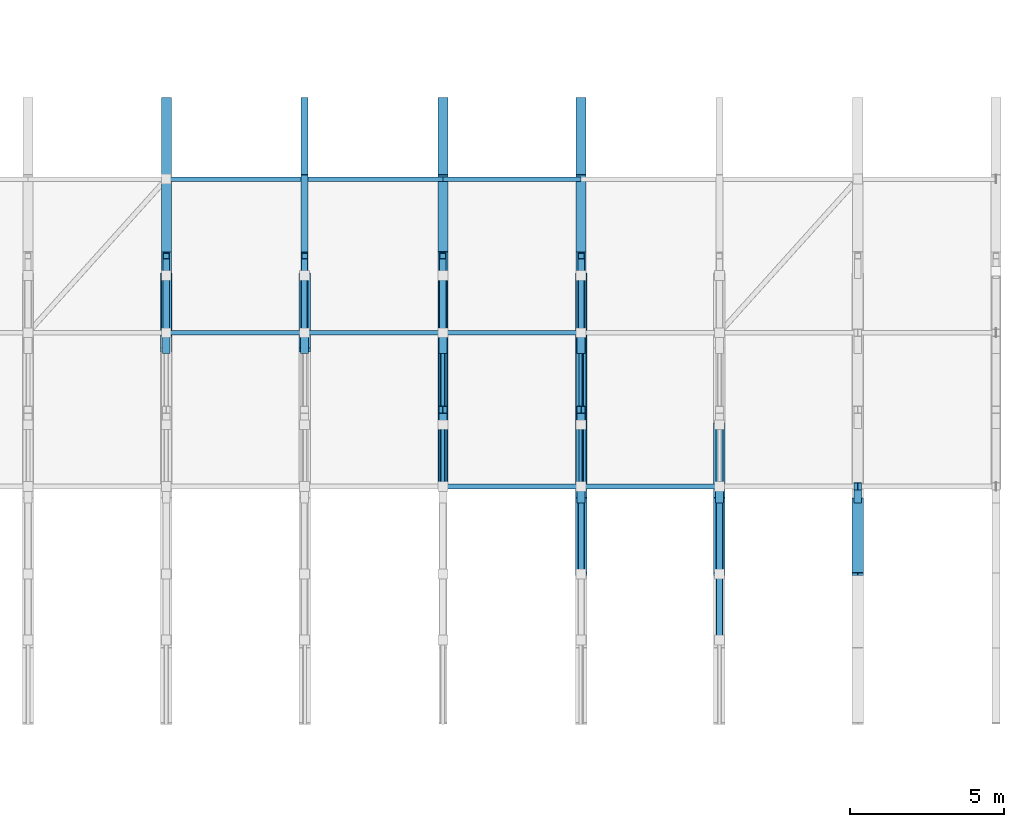
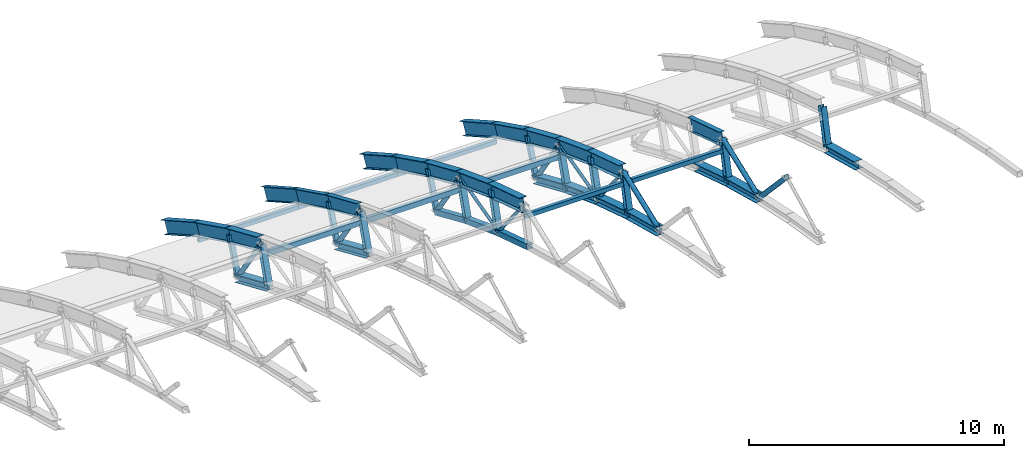
# One storey, part 70 of 103: 44 members, 17 beams.
"""IFC4 building model written with IfcOpenShell, lengths in metres."""

from ifc_helpers import new_model, si_unit, direction, frame, origin, origin_2d, place, context, subcontext, project, spatial, hollow_rectangle, hollow_circle, i_section, extrude, material, material_profile, profile_set, type_object, element, save


model = new_model("IFC4")

# Units and contexts
model_context = context("Model", 3, precision=1e-05, world=origin(), true_north=direction((0.0, 1.0)))
body_context = subcontext(model_context, "Body", "Model", "MODEL_VIEW")
ifc_project = project(units=[si_unit("LENGTHUNIT", "METRE"), si_unit("AREAUNIT", "SQUARE_METRE"), si_unit("VOLUMEUNIT", "CUBIC_METRE"), si_unit("PLANEANGLEUNIT", "RADIAN"), si_unit("MASSUNIT", "GRAM", prefix="KILO")], contexts=[model_context])

# Site, building, storey
site_placement = place(None, origin())
site = spatial("IfcSite", under=ifc_project, at=site_placement, CompositionType="ELEMENT")
building_placement = place(site_placement, origin())
building = spatial("IfcBuilding", under=site, at=building_placement, Name="Cazmaro Siding Exhibition Halls", CompositionType="ELEMENT")
storey_placement = place(building_placement, frame((0.0, 0.0, 16.5)))
storey = spatial("IfcBuildingStorey", under=building, at=storey_placement, Name="L03", CompositionType="ELEMENT", Elevation=16.5)

# Beams
ifc_material_1 = material(Name="Steel ASTM A992 Grade 50", Category="steel")
ifc_material_profile_1 = material_profile(ifc_material_1, i_section(OverallWidth=0.327880859375, OverallDepth=0.626953125, WebThickness=0.01708984375, FlangeThickness=0.028076171875, at=origin_2d()), Name="W24X146")
ifc_profile_set_1 = profile_set([ifc_material_profile_1], Name="Steel ASTM A992 Grade 50")
beam_type_1 = type_object("IfcBeamType", Name="AR-01", PredefinedType="USERDEFINED", material=ifc_profile_set_1)
beam_1_placement = place(storey_placement, frame((153.0, 109.0, 4.85498046875), z_axis=(0.0, 0.952769241759, -0.303695195811), x_axis=(-1.0, 0.0, 0.0)))
element("IfcBeam", 1, at=beam_1_placement, inside=storey, type_object=beam_type_1, Name="Space frame barrel vault arched rib AR-01 BM-1129", ObjectType="ARCHED RIB", PredefinedType="USERDEFINED", context=body_context, shape_type="SweptSolid", body=[
    extrude(i_section(OverallWidth=0.327880859375, OverallDepth=0.626953125, WebThickness=0.01708984375, FlangeThickness=0.028076171875, at=origin_2d()), origin(), (0.0, 0.0, 1.0), 2.6240234375),
])
beam_2_placement = place(storey_placement, frame((153.0, 111.5, 4.05810546875), z_axis=(0.0, 0.936509460339, -0.350642311615), x_axis=(-1.0, 0.0, 0.0)))
element("IfcBeam", 2, at=beam_2_placement, inside=storey, type_object=beam_type_1, Name="Space frame barrel vault arched rib AR-01 BM-1130", ObjectType="ARCHED RIB", PredefinedType="USERDEFINED", context=body_context, shape_type="SweptSolid", body=[
    extrude(i_section(OverallWidth=0.327880859375, OverallDepth=0.626953125, WebThickness=0.01708984375, FlangeThickness=0.028076171875, at=origin_2d()), origin(), (0.0, 0.0, 1.0), 2.66943359375),
])
beam_3_placement = place(storey_placement, frame((153.0, 114.0, 3.1220703125), z_axis=(0.0, 0.917729918626, -0.397204980405), x_axis=(-1.0, 0.0, 0.0)))
element("IfcBeam", 3, at=beam_3_placement, inside=storey, type_object=beam_type_1, Name="Space frame barrel vault arched rib AR-01 BM-1131", ObjectType="ARCHED RIB", PredefinedType="USERDEFINED", context=body_context, shape_type="SweptSolid", body=[
    extrude(i_section(OverallWidth=0.327880859375, OverallDepth=0.626953125, WebThickness=0.01708984375, FlangeThickness=0.028076171875, at=origin_2d()), origin(), (0.0, 0.0, 1.0), 2.72412109375),
])
beam_4_placement = place(storey_placement, frame((153.0, 116.5, 2.0400390625), z_axis=(0.0, 0.895996638269, -0.444060833908), x_axis=(-1.0, 0.0, 0.0)))
element("IfcBeam", 4, at=beam_4_placement, inside=storey, type_object=beam_type_1, Name="Space frame barrel vault arched rib AR-01 BM-1132", ObjectType="ARCHED RIB", PredefinedType="USERDEFINED", context=body_context, shape_type="SweptSolid", body=[
    extrude(i_section(OverallWidth=0.327880859375, OverallDepth=0.626953125, WebThickness=0.01708984375, FlangeThickness=0.028076171875, at=origin_2d()), origin(), (0.0, 0.0, 1.0), 2.790283203125),
])
beam_5_placement = place(storey_placement, frame((153.0, 119.0, 0.801025390625), z_axis=(0.0, 0.871320907359, -0.490713639916), x_axis=(-1.0, 0.0, 0.0)))
element("IfcBeam", 5, at=beam_5_placement, inside=storey, type_object=beam_type_1, Name="Space frame barrel vault arched rib AR-01 BM-1133", ObjectType="ARCHED RIB", PredefinedType="USERDEFINED", context=body_context, shape_type="SweptSolid", body=[
    extrude(i_section(OverallWidth=0.327880859375, OverallDepth=0.626953125, WebThickness=0.01708984375, FlangeThickness=0.028076171875, at=origin_2d()), origin(), (0.0, 0.0, 1.0), 2.869140625),
])
ifc_material_2 = material(Name="Steel ASTM A992 Grade 50", Category="steel")
ifc_material_profile_2 = material_profile(ifc_material_2, i_section(OverallWidth=0.324951171875, OverallDepth=0.612060546875, WebThickness=0.012939453125, FlangeThickness=0.01904296875, at=origin_2d()), Name="W24X104")
ifc_profile_set_2 = profile_set([ifc_material_profile_2], Name="Steel ASTM A992 Grade 50")
beam_type_2 = type_object("IfcBeamType", Name="AR-02", PredefinedType="USERDEFINED", material=ifc_profile_set_2)
beam_6_placement = place(storey_placement, frame((144.0, 114.0, 3.1220703125), z_axis=(0.0, 0.917729918626, -0.397204980405), x_axis=(-1.0, 0.0, 0.0)))
element("IfcBeam", 6, at=beam_6_placement, inside=storey, type_object=beam_type_2, Name="Space frame barrel vault arched rib AR-02 BM-1083", ObjectType="ARCHED RIB", PredefinedType="USERDEFINED", context=body_context, shape_type="SweptSolid", body=[
    extrude(i_section(OverallWidth=0.324951171875, OverallDepth=0.612060546875, WebThickness=0.012939453125, FlangeThickness=0.01904296875, at=origin_2d()), origin(), (0.0, 0.0, 1.0), 2.72412109375),
])
beam_7_placement = place(storey_placement, frame((144.0, 116.5, 2.0400390625), z_axis=(0.0, 0.895996638269, -0.444060833908), x_axis=(-1.0, 0.0, 0.0)))
element("IfcBeam", 7, at=beam_7_placement, inside=storey, type_object=beam_type_2, Name="Space frame barrel vault arched rib AR-02 BM-1084", ObjectType="ARCHED RIB", PredefinedType="USERDEFINED", context=body_context, shape_type="SweptSolid", body=[
    extrude(i_section(OverallWidth=0.324951171875, OverallDepth=0.612060546875, WebThickness=0.012939453125, FlangeThickness=0.01904296875, at=origin_2d()), origin(), (0.0, 0.0, 1.0), 2.790283203125),
])
beam_8_placement = place(storey_placement, frame((144.0, 119.0, 0.801025390625), z_axis=(0.0, 0.871320907359, -0.490713639916), x_axis=(-1.0, 0.0, 0.0)))
element("IfcBeam", 8, at=beam_8_placement, inside=storey, type_object=beam_type_2, Name="Space frame barrel vault arched rib AR-02 BM-1085", ObjectType="ARCHED RIB", PredefinedType="USERDEFINED", context=body_context, shape_type="SweptSolid", body=[
    extrude(i_section(OverallWidth=0.324951171875, OverallDepth=0.612060546875, WebThickness=0.012939453125, FlangeThickness=0.01904296875, at=origin_2d()), origin(), (0.0, 0.0, 1.0), 2.869140625),
])
beam_9_placement = place(storey_placement, frame((157.5, 109.0, 4.85498046875), z_axis=(0.0, 0.952769241759, -0.303695195811), x_axis=(-1.0, 0.0, 0.0)))
element("IfcBeam", 9, at=beam_9_placement, inside=storey, type_object=beam_type_2, Name="Space frame barrel vault arched rib AR-02 BM-1153", ObjectType="ARCHED RIB", PredefinedType="USERDEFINED", context=body_context, shape_type="SweptSolid", body=[
    extrude(i_section(OverallWidth=0.324951171875, OverallDepth=0.612060546875, WebThickness=0.012939453125, FlangeThickness=0.01904296875, at=origin_2d()), origin(), (0.0, 0.0, 1.0), 2.6240234375),
])
beam_10_placement = place(storey_placement, frame((157.5, 111.5, 4.05810546875), z_axis=(0.0, 0.936509460339, -0.350642311615), x_axis=(-1.0, 0.0, 0.0)))
element("IfcBeam", 10, at=beam_10_placement, inside=storey, type_object=beam_type_2, Name="Space frame barrel vault arched rib AR-02 BM-1154", ObjectType="ARCHED RIB", PredefinedType="USERDEFINED", context=body_context, shape_type="SweptSolid", body=[
    extrude(i_section(OverallWidth=0.324951171875, OverallDepth=0.612060546875, WebThickness=0.012939453125, FlangeThickness=0.01904296875, at=origin_2d()), origin(), (0.0, 0.0, 1.0), 2.66943359375),
])
beam_11_placement = place(storey_placement, frame((157.5, 114.0, 3.1220703125), z_axis=(0.0, 0.917729918626, -0.397204980405), x_axis=(-1.0, 0.0, 0.0)))
element("IfcBeam", 11, at=beam_11_placement, inside=storey, type_object=beam_type_2, Name="Space frame barrel vault arched rib AR-02 BM-1155", ObjectType="ARCHED RIB", PredefinedType="USERDEFINED", context=body_context, shape_type="SweptSolid", body=[
    extrude(i_section(OverallWidth=0.324951171875, OverallDepth=0.612060546875, WebThickness=0.012939453125, FlangeThickness=0.01904296875, at=origin_2d()), origin(), (0.0, 0.0, 1.0), 2.72412109375),
])
beam_12_placement = place(storey_placement, frame((157.5, 116.5, 2.0400390625), z_axis=(0.0, 0.895996638269, -0.444060833908), x_axis=(-1.0, 0.0, 0.0)))
element("IfcBeam", 12, at=beam_12_placement, inside=storey, type_object=beam_type_2, Name="Space frame barrel vault arched rib AR-02 BM-1156", ObjectType="ARCHED RIB", PredefinedType="USERDEFINED", context=body_context, shape_type="SweptSolid", body=[
    extrude(i_section(OverallWidth=0.324951171875, OverallDepth=0.612060546875, WebThickness=0.012939453125, FlangeThickness=0.01904296875, at=origin_2d()), origin(), (0.0, 0.0, 1.0), 2.790283203125),
])
beam_13_placement = place(storey_placement, frame((157.5, 119.0, 0.801025390625), z_axis=(0.0, 0.871320907359, -0.490713639916), x_axis=(-1.0, 0.0, 0.0)))
element("IfcBeam", 13, at=beam_13_placement, inside=storey, type_object=beam_type_2, Name="Space frame barrel vault arched rib AR-02 BM-1157", ObjectType="ARCHED RIB", PredefinedType="USERDEFINED", context=body_context, shape_type="SweptSolid", body=[
    extrude(i_section(OverallWidth=0.324951171875, OverallDepth=0.612060546875, WebThickness=0.012939453125, FlangeThickness=0.01904296875, at=origin_2d()), origin(), (0.0, 0.0, 1.0), 2.869140625),
])
ifc_material_3 = material(Name="Steel ASTM A992 Grade 50", Category="steel")
ifc_material_profile_3 = material_profile(ifc_material_3, i_section(OverallWidth=0.22900390625, OverallDepth=0.612060546875, WebThickness=0.011962890625, FlangeThickness=0.02001953125, at=origin_2d()), Name="W24X84")
ifc_profile_set_3 = profile_set([ifc_material_profile_3], Name="Steel ASTM A992 Grade 50")
beam_type_3 = type_object("IfcBeamType", Name="AR-03", PredefinedType="USERDEFINED", material=ifc_profile_set_3)
beam_14_placement = place(storey_placement, frame((148.5, 114.0, 3.1220703125), z_axis=(0.0, 0.917729918626, -0.397204980405), x_axis=(-1.0, 0.0, 0.0)))
element("IfcBeam", 14, at=beam_14_placement, inside=storey, type_object=beam_type_3, Name="Space frame barrel vault arched rib AR-03 BM-1107", ObjectType="ARCHED RIB", PredefinedType="USERDEFINED", context=body_context, shape_type="SweptSolid", body=[
    extrude(i_section(OverallWidth=0.22900390625, OverallDepth=0.612060546875, WebThickness=0.011962890625, FlangeThickness=0.02001953125, at=origin_2d()), origin(), (0.0, 0.0, 1.0), 2.72412109375),
])
beam_15_placement = place(storey_placement, frame((148.5, 116.5, 2.0400390625), z_axis=(0.0, 0.895996638269, -0.444060833908), x_axis=(-1.0, 0.0, 0.0)))
element("IfcBeam", 15, at=beam_15_placement, inside=storey, type_object=beam_type_3, Name="Space frame barrel vault arched rib AR-03 BM-1108", ObjectType="ARCHED RIB", PredefinedType="USERDEFINED", context=body_context, shape_type="SweptSolid", body=[
    extrude(i_section(OverallWidth=0.22900390625, OverallDepth=0.612060546875, WebThickness=0.011962890625, FlangeThickness=0.02001953125, at=origin_2d()), origin(), (0.0, 0.0, 1.0), 2.790283203125),
])
beam_16_placement = place(storey_placement, frame((148.5, 119.0, 0.801025390625), z_axis=(0.0, 0.871320907359, -0.490713639916), x_axis=(-1.0, 0.0, 0.0)))
element("IfcBeam", 16, at=beam_16_placement, inside=storey, type_object=beam_type_3, Name="Space frame barrel vault arched rib AR-03 BM-1109", ObjectType="ARCHED RIB", PredefinedType="USERDEFINED", context=body_context, shape_type="SweptSolid", body=[
    extrude(i_section(OverallWidth=0.22900390625, OverallDepth=0.612060546875, WebThickness=0.011962890625, FlangeThickness=0.02001953125, at=origin_2d()), origin(), (0.0, 0.0, 1.0), 2.869140625),
])
beam_17_placement = place(storey_placement, frame((162.0, 109.0, 4.85498046875), z_axis=(0.0, 0.952769241759, -0.303695195811), x_axis=(-1.0, 0.0, 0.0)))
element("IfcBeam", 17, at=beam_17_placement, inside=storey, type_object=beam_type_3, Name="Space frame barrel vault arched rib AR-03 BM-1177", ObjectType="ARCHED RIB", PredefinedType="USERDEFINED", context=body_context, shape_type="SweptSolid", body=[
    extrude(i_section(OverallWidth=0.22900390625, OverallDepth=0.612060546875, WebThickness=0.011962890625, FlangeThickness=0.02001953125, at=origin_2d()), origin(), (0.0, 0.0, 1.0), 2.6240234375),
])

# Members
ifc_material_4 = material(Name="Steel ASTM A500 Grade C", Category="steel")
ifc_material_profile_4 = material_profile(ifc_material_4, hollow_rectangle(XDim=0.152099609375, YDim=0.202880859375, WallThickness=0.011962890625, at=origin_2d()), Name="HSS8X6X1/2")
ifc_profile_set_4 = profile_set([ifc_material_profile_4], Name="Steel ASTM A500 Grade C")
member_type_1 = type_object("IfcMemberType", Name="RP-01", PredefinedType="PURLIN", material=ifc_profile_set_4)
for number, where, z_axis, x_axis, name in (
    (18, (144.0, 119.0, 0.260986328125), (1.0, 0.0, 0.0), (0.0, 1.0, 0.0), "Space frame barrel vault purlin RP-01 MEM-2240"),
    (19, (148.5, 119.0, 0.260986328125), (1.0, 0.0, 0.0), (0.0, 1.0, 0.0), "Space frame barrel vault purlin RP-01 MEM-2251"),
    (20, (153.0, 109.0, 4.31494140625), (1.0, 0.0, 0.0), (0.0, 1.0, 0.0), "Space frame barrel vault purlin RP-01 MEM-2260"),
    (21, (153.0, 119.0, 0.260986328125), (1.0, 0.0, 0.0), (0.0, 1.0, 0.0), "Space frame barrel vault purlin RP-01 MEM-2262"),
    (22, (157.5, 109.0, 4.31494140625), (1.0, 0.0, 0.0), (0.0, 1.0, 0.0), "Space frame barrel vault purlin RP-01 MEM-2271"),
):
    element("IfcMember", number, at=place(storey_placement, frame(where, z_axis=z_axis, x_axis=x_axis)), inside=storey, type_object=member_type_1, Name=name, PredefinedType="PURLIN", context=body_context, shape_type="SweptSolid", body=[
        extrude(hollow_rectangle(XDim=0.152099609375, YDim=0.202880859375, WallThickness=0.011962890625, at=origin_2d()), origin(), (0.0, 0.0, 1.0), 4.5),
    ])
ifc_material_5 = material(Name="Steel ASTM A500 Grade C", Category="steel")
ifc_material_profile_5 = material_profile(ifc_material_5, hollow_rectangle(XDim=0.152099609375, YDim=0.25390625, WallThickness=0.011962890625, at=origin_2d()), Name="HSS10X6X1/2")
ifc_profile_set_5 = profile_set([ifc_material_profile_5], Name="Steel ASTM A500 Grade C")
member_type_2 = type_object("IfcMemberType", Name="RP-04", PredefinedType="PURLIN", material=ifc_profile_set_5)
for number, where, z_axis, x_axis, name in (
    (23, (144.0, 114.0, 2.58203125), (1.0, 0.0, 0.0), (0.0, 1.0, 0.0), "Space frame barrel vault purlin RP-04 MEM-2239"),
    (24, (148.5, 114.0, 2.58203125), (1.0, 0.0, 0.0), (0.0, 1.0, 0.0), "Space frame barrel vault purlin RP-04 MEM-2250"),
    (25, (153.0, 114.0, 2.58203125), (1.0, 0.0, 0.0), (0.0, 1.0, 0.0), "Space frame barrel vault purlin RP-04 MEM-2261"),
):
    element("IfcMember", number, at=place(storey_placement, frame(where, z_axis=z_axis, x_axis=x_axis)), inside=storey, type_object=member_type_2, Name=name, PredefinedType="PURLIN", context=body_context, shape_type="SweptSolid", body=[
        extrude(hollow_rectangle(XDim=0.152099609375, YDim=0.25390625, WallThickness=0.011962890625, at=origin_2d()), origin(), (0.0, 0.0, 1.0), 4.5),
    ])
ifc_material_6 = material(Name="Steel ASTM A500 Grade C", Category="steel")
ifc_material_profile_6 = material_profile(ifc_material_6, hollow_rectangle(XDim=0.25390625, YDim=0.25390625, WallThickness=0.014892578125, at=origin_2d()), Name="HSS10X10X5/8")
ifc_profile_set_6 = profile_set([ifc_material_profile_6], Name="Steel ASTM A500 Grade C")
member_type_3 = type_object("IfcMemberType", Name="TC-01", PredefinedType="CHORD", material=ifc_profile_set_6)
member_1_placement = place(storey_placement, frame((153.0, 108.580078125, 3.114990234375), z_axis=(0.0, 0.952692842525, -0.303934775573), x_axis=(-1.0, 0.0, 0.0)))
element("IfcMember", 26, at=member_1_placement, inside=storey, type_object=member_type_3, Name="Space frame barrel vault bottom chord TC-01 MEM-1693", PredefinedType="CHORD", context=body_context, shape_type="SweptSolid", body=[
    extrude(hollow_rectangle(XDim=0.25390625, YDim=0.25390625, WallThickness=0.014892578125, at=origin_2d()), origin(), (0.0, 0.0, 1.0), 2.549560546875),
])
member_2_placement = place(storey_placement, frame((153.0, 111.009033203125, 2.340087890625), z_axis=(0.0, 0.936588022869, -0.350432412053), x_axis=(-1.0, 0.0, 0.0)))
element("IfcMember", 27, at=member_2_placement, inside=storey, type_object=member_type_3, Name="Space frame barrel vault bottom chord TC-01 MEM-1695", PredefinedType="CHORD", context=body_context, shape_type="SweptSolid", body=[
    extrude(hollow_rectangle(XDim=0.25390625, YDim=0.25390625, WallThickness=0.014892578125, at=origin_2d()), origin(), (0.0, 0.0, 1.0), 2.594482421875),
])
member_3_placement = place(storey_placement, frame((153.0, 113.43896484375, 1.430908203125), z_axis=(0.0, 0.917689003843, -0.397299499403), x_axis=(-1.0, 0.0, 0.0)))
element("IfcMember", 28, at=member_3_placement, inside=storey, type_object=member_type_3, Name="Space frame barrel vault bottom chord TC-01 MEM-1697", PredefinedType="CHORD", context=body_context, shape_type="SweptSolid", body=[
    extrude(hollow_rectangle(XDim=0.25390625, YDim=0.25390625, WallThickness=0.014892578125, at=origin_2d()), origin(), (0.0, 0.0, 1.0), 2.64794921875),
])
ifc_material_7 = material(Name="Steel ASTM A992 Grade 50", Category="steel")
ifc_material_profile_7 = material_profile(ifc_material_7, i_section(OverallWidth=0.37109375, OverallDepth=0.364013671875, WebThickness=0.012939453125, FlangeThickness=0.02197265625, at=origin_2d()), Name="W14X109")
ifc_profile_set_7 = profile_set([ifc_material_profile_7], Name="Steel ASTM A992 Grade 50")
member_type_4 = type_object("IfcMemberType", Name="TC-06", PredefinedType="CHORD", material=ifc_profile_set_7)
for number, where, z_axis, x_axis, name in (
    (29, (144.0, 113.43896484375, 1.430908203125), (0.0, 0.917689003843, -0.397299499403), (-1.0, 0.0, 0.0), "Space frame barrel vault bottom chord TC-06 MEM-1555"),
    (30, (148.5, 113.43896484375, 1.430908203125), (0.0, 0.917689003843, -0.397299499403), (-1.0, 0.0, 0.0), "Space frame barrel vault bottom chord TC-06 MEM-1626"),
):
    element("IfcMember", number, at=place(storey_placement, frame(where, z_axis=z_axis, x_axis=x_axis)), inside=storey, type_object=member_type_4, Name=name, PredefinedType="CHORD", context=body_context, shape_type="SweptSolid", body=[
        extrude(i_section(OverallWidth=0.37109375, OverallDepth=0.364013671875, WebThickness=0.012939453125, FlangeThickness=0.02197265625, at=origin_2d()), origin(), (0.0, 0.0, 1.0), 2.64794921875),
    ])
member_4_placement = place(storey_placement, frame((157.5, 106.14990234375, 3.760986328125), z_axis=(0.0, 0.966437683387, -0.256901156343), x_axis=(-1.0, 0.0, 0.0)))
element("IfcMember", 31, at=member_4_placement, inside=storey, type_object=member_type_4, Name="Space frame barrel vault bottom chord TC-06 MEM-1762", PredefinedType="CHORD", context=body_context, shape_type="SweptSolid", body=[
    extrude(i_section(OverallWidth=0.37109375, OverallDepth=0.364013671875, WebThickness=0.012939453125, FlangeThickness=0.02197265625, at=origin_2d()), origin(), (0.0, 0.0, 1.0), 2.5146484375),
])
member_5_placement = place(storey_placement, frame((157.5, 108.580078125, 3.114990234375), z_axis=(0.0, 0.952692842525, -0.303934775573), x_axis=(-1.0, 0.0, 0.0)))
element("IfcMember", 32, at=member_5_placement, inside=storey, type_object=member_type_4, Name="Space frame barrel vault bottom chord TC-06 MEM-1764", PredefinedType="CHORD", context=body_context, shape_type="SweptSolid", body=[
    extrude(i_section(OverallWidth=0.37109375, OverallDepth=0.364013671875, WebThickness=0.012939453125, FlangeThickness=0.02197265625, at=origin_2d()), origin(), (0.0, 0.0, 1.0), 2.549560546875),
])
member_6_placement = place(storey_placement, frame((157.5, 111.009033203125, 2.340087890625), z_axis=(0.0, 0.936588022869, -0.350432412053), x_axis=(-1.0, 0.0, 0.0)))
element("IfcMember", 33, at=member_6_placement, inside=storey, type_object=member_type_4, Name="Space frame barrel vault bottom chord TC-06 MEM-1766", PredefinedType="CHORD", context=body_context, shape_type="SweptSolid", body=[
    extrude(i_section(OverallWidth=0.37109375, OverallDepth=0.364013671875, WebThickness=0.012939453125, FlangeThickness=0.02197265625, at=origin_2d()), origin(), (0.0, 0.0, 1.0), 2.594482421875),
])
member_7_placement = place(storey_placement, frame((157.5, 113.43896484375, 1.430908203125), z_axis=(0.0, 0.917689003843, -0.397299499403), x_axis=(-1.0, 0.0, 0.0)))
element("IfcMember", 34, at=member_7_placement, inside=storey, type_object=member_type_4, Name="Space frame barrel vault bottom chord TC-06 MEM-1768", PredefinedType="CHORD", context=body_context, shape_type="SweptSolid", body=[
    extrude(i_section(OverallWidth=0.37109375, OverallDepth=0.364013671875, WebThickness=0.012939453125, FlangeThickness=0.02197265625, at=origin_2d()), origin(), (0.0, 0.0, 1.0), 2.64794921875),
])
member_8_placement = place(storey_placement, frame((162.0, 106.14990234375, 3.760986328125), z_axis=(0.0, 0.966437683387, -0.256901156343), x_axis=(-1.0, 0.0, 0.0)))
element("IfcMember", 35, at=member_8_placement, inside=storey, type_object=member_type_4, Name="Space frame barrel vault bottom chord TC-06 MEM-1833", PredefinedType="CHORD", context=body_context, shape_type="SweptSolid", body=[
    extrude(i_section(OverallWidth=0.37109375, OverallDepth=0.364013671875, WebThickness=0.012939453125, FlangeThickness=0.02197265625, at=origin_2d()), origin(), (0.0, 0.0, 1.0), 2.5146484375),
])
member_9_placement = place(storey_placement, frame((162.0, 108.580078125, 3.114990234375), z_axis=(0.0, 0.952692842525, -0.303934775573), x_axis=(-1.0, 0.0, 0.0)))
element("IfcMember", 36, at=member_9_placement, inside=storey, type_object=member_type_4, Name="Space frame barrel vault bottom chord TC-06 MEM-1835", PredefinedType="CHORD", context=body_context, shape_type="SweptSolid", body=[
    extrude(i_section(OverallWidth=0.37109375, OverallDepth=0.364013671875, WebThickness=0.012939453125, FlangeThickness=0.02197265625, at=origin_2d()), origin(), (0.0, 0.0, 1.0), 2.549560546875),
])
member_10_placement = place(storey_placement, frame((166.5, 106.14990234375, 3.760986328125), z_axis=(0.0, 0.966437683387, -0.256901156343), x_axis=(-1.0, 0.0, 0.0)))
element("IfcMember", 37, at=member_10_placement, inside=storey, type_object=member_type_4, Name="Space frame barrel vault bottom chord TC-06 MEM-1887", PredefinedType="CHORD", context=body_context, shape_type="SweptSolid", body=[
    extrude(i_section(OverallWidth=0.37109375, OverallDepth=0.364013671875, WebThickness=0.012939453125, FlangeThickness=0.02197265625, at=origin_2d()), origin(), (0.0, 0.0, 1.0), 2.5146484375),
])
ifc_material_8 = material(Name="Steel ASTM A500 Grade C", Category="steel")
ifc_material_profile_8 = material_profile(ifc_material_8, hollow_rectangle(XDim=0.202880859375, YDim=0.202880859375, WallThickness=0.011962890625, at=origin_2d()), Name="HSS8X8X1/2")
ifc_profile_set_8 = profile_set([ifc_material_profile_8], Name="Steel ASTM A500 Grade C")
member_type_5 = type_object("IfcMemberType", Name="TP-01", PredefinedType="POST", material=ifc_profile_set_8)
for number, where, z_axis, x_axis, name in (
    (38, (144.0, 115.868896484375, 0.37890625), (0.0, 0.355155331276, 0.934807301355), (-1.0, 0.0, 0.0), "Space frame barrel vault post TP-01 MEM-1583"),
    (39, (148.5, 115.868896484375, 0.37890625), (0.0, 0.355155331276, 0.934807301355), (-1.0, 0.0, 0.0), "Space frame barrel vault post TP-01 MEM-1654"),
    (40, (153.0, 115.868896484375, 0.37890625), (0.0, 0.355155331276, 0.934807301355), (-1.0, 0.0, 0.0), "Space frame barrel vault post TP-01 MEM-1725"),
    (41, (157.5, 115.868896484375, 0.37890625), (0.0, 0.355155331276, 0.934807301355), (-1.0, 0.0, 0.0), "Space frame barrel vault post TP-01 MEM-1796"),
):
    element("IfcMember", number, at=place(storey_placement, frame(where, z_axis=z_axis, x_axis=x_axis)), inside=storey, type_object=member_type_5, Name=name, PredefinedType="POST", context=body_context, shape_type="SweptSolid", body=[
        extrude(hollow_rectangle(XDim=0.202880859375, YDim=0.202880859375, WallThickness=0.011962890625, at=origin_2d()), origin(), (0.0, 0.0, 1.0), 1.777099609375),
    ])
ifc_material_9 = material(Name="Steel ASTM A992 Grade 50", Category="steel")
ifc_material_profile_9 = material_profile(ifc_material_9, i_section(OverallWidth=0.25390625, OverallDepth=0.25390625, WebThickness=0.009033203125, FlangeThickness=0.013916015625, at=origin_2d()), Name="W10X49")
ifc_profile_set_9 = profile_set([ifc_material_profile_9], Name="Steel ASTM A992 Grade 50")
member_type_6 = type_object("IfcMemberType", Name="TP-04", PredefinedType="POST", material=ifc_profile_set_9)
for number, where, z_axis, x_axis, name in (
    (42, (144.0, 113.43896484375, 1.430908203125), (0.0, 0.314870949103, 0.949134492794), (-1.0, 0.0, 0.0), "Space frame barrel vault post TP-04 MEM-1582"),
    (43, (148.5, 113.43896484375, 1.430908203125), (0.0, 0.314870949103, 0.949134492794), (-1.0, 0.0, 0.0), "Space frame barrel vault post TP-04 MEM-1653"),
):
    element("IfcMember", number, at=place(storey_placement, frame(where, z_axis=z_axis, x_axis=x_axis)), inside=storey, type_object=member_type_6, Name=name, PredefinedType="POST", context=body_context, shape_type="SweptSolid", body=[
        extrude(i_section(OverallWidth=0.25390625, OverallDepth=0.25390625, WebThickness=0.009033203125, FlangeThickness=0.013916015625, at=origin_2d()), origin(), (0.0, 0.0, 1.0), 1.78173828125),
    ])
member_11_placement = place(storey_placement, frame((153.0, 111.009033203125, 2.340087890625), z_axis=(0.0, 0.274775266308, 0.961508477875), x_axis=(-1.0, 0.0, 0.0)))
element("IfcMember", 44, at=member_11_placement, inside=storey, type_object=member_type_6, Name="Space frame barrel vault post TP-04 MEM-1723", PredefinedType="POST", context=body_context, shape_type="SweptSolid", body=[
    extrude(i_section(OverallWidth=0.25390625, OverallDepth=0.25390625, WebThickness=0.009033203125, FlangeThickness=0.013916015625, at=origin_2d()), origin(), (0.0, 0.0, 1.0), 1.786865234375),
])
member_12_placement = place(storey_placement, frame((153.0, 113.43896484375, 1.430908203125), z_axis=(0.0, 0.314870949103, 0.949134492794), x_axis=(-1.0, 0.0, 0.0)))
element("IfcMember", 45, at=member_12_placement, inside=storey, type_object=member_type_6, Name="Space frame barrel vault post TP-04 MEM-1724", PredefinedType="POST", context=body_context, shape_type="SweptSolid", body=[
    extrude(i_section(OverallWidth=0.25390625, OverallDepth=0.25390625, WebThickness=0.009033203125, FlangeThickness=0.013916015625, at=origin_2d()), origin(), (0.0, 0.0, 1.0), 1.78173828125),
])
member_13_placement = place(storey_placement, frame((157.5, 108.580078125, 3.114990234375), z_axis=(0.0, 0.234600533729, 0.972091862724), x_axis=(-1.0, 0.0, 0.0)))
element("IfcMember", 46, at=member_13_placement, inside=storey, type_object=member_type_6, Name="Space frame barrel vault post TP-04 MEM-1793", PredefinedType="POST", context=body_context, shape_type="SweptSolid", body=[
    extrude(i_section(OverallWidth=0.25390625, OverallDepth=0.25390625, WebThickness=0.009033203125, FlangeThickness=0.013916015625, at=origin_2d()), origin(), (0.0, 0.0, 1.0), 1.7900390625),
])
member_14_placement = place(storey_placement, frame((157.5, 111.009033203125, 2.340087890625), z_axis=(0.0, 0.274775266308, 0.961508477875), x_axis=(-1.0, 0.0, 0.0)))
element("IfcMember", 47, at=member_14_placement, inside=storey, type_object=member_type_6, Name="Space frame barrel vault post TP-04 MEM-1794", PredefinedType="POST", context=body_context, shape_type="SweptSolid", body=[
    extrude(i_section(OverallWidth=0.25390625, OverallDepth=0.25390625, WebThickness=0.009033203125, FlangeThickness=0.013916015625, at=origin_2d()), origin(), (0.0, 0.0, 1.0), 1.786865234375),
])
member_15_placement = place(storey_placement, frame((157.5, 113.43896484375, 1.430908203125), z_axis=(0.0, 0.314870949103, 0.949134492794), x_axis=(-1.0, 0.0, 0.0)))
element("IfcMember", 48, at=member_15_placement, inside=storey, type_object=member_type_6, Name="Space frame barrel vault post TP-04 MEM-1795", PredefinedType="POST", context=body_context, shape_type="SweptSolid", body=[
    extrude(i_section(OverallWidth=0.25390625, OverallDepth=0.25390625, WebThickness=0.009033203125, FlangeThickness=0.013916015625, at=origin_2d()), origin(), (0.0, 0.0, 1.0), 1.78173828125),
])
for number, where, z_axis, x_axis, name in (
    (49, (162.0, 108.580078125, 3.114990234375), (0.0, 0.234600533729, 0.972091862724), (-1.0, 0.0, 0.0), "Space frame barrel vault post TP-04 MEM-1864"),
    (50, (166.5, 108.580078125, 3.114990234375), (0.0, 0.234600533729, 0.972091862724), (-1.0, 0.0, 0.0), "Space frame barrel vault post TP-04 MEM-1911"),
):
    element("IfcMember", number, at=place(storey_placement, frame(where, z_axis=z_axis, x_axis=x_axis)), inside=storey, type_object=member_type_6, Name=name, PredefinedType="POST", context=body_context, shape_type="SweptSolid", body=[
        extrude(i_section(OverallWidth=0.25390625, OverallDepth=0.25390625, WebThickness=0.009033203125, FlangeThickness=0.013916015625, at=origin_2d()), origin(), (0.0, 0.0, 1.0), 1.7900390625),
    ])
ifc_material_10 = material(Name="Steel ASTM A500 Grade C", Category="steel")
ifc_material_profile_10 = material_profile(ifc_material_10, hollow_circle(Radius=0.109619140625, WallThickness=0.012939453125, at=origin_2d()), Name="PIPE8XS")
ifc_profile_set_10 = profile_set([ifc_material_profile_10], Name="Steel ASTM A500 Grade C")
member_type_7 = type_object("IfcMemberType", Name="WB-01", PredefinedType="BRACE", material=ifc_profile_set_10)
for number, where, z_axis, x_axis, name in (
    (51, (144.0, 114.0, 3.1220703125), (0.0, 0.563040090795, -0.826429583302), (-1.0, 0.0, 0.0), "Space frame barrel vault diagonal WB-01 MEM-1556"),
    (52, (148.5, 114.0, 3.1220703125), (0.0, 0.563040090795, -0.826429583302), (-1.0, 0.0, 0.0), "Space frame barrel vault diagonal WB-01 MEM-1627"),
    (53, (153.0, 114.0, 3.1220703125), (0.0, 0.563040090795, -0.826429583302), (-1.0, 0.0, 0.0), "Space frame barrel vault diagonal WB-01 MEM-1698"),
):
    element("IfcMember", number, at=place(storey_placement, frame(where, z_axis=z_axis, x_axis=x_axis)), inside=storey, type_object=member_type_7, Name=name, PredefinedType="BRACE", context=body_context, shape_type="SweptSolid", body=[
        extrude(hollow_circle(Radius=0.109619140625, WallThickness=0.012939453125, at=origin_2d()), origin(), (0.0, 0.0, 1.0), 3.3193359375),
    ])
member_16_placement = place(storey_placement, frame((157.5, 106.14990234375, 3.760986328125), z_axis=(0.0, 0.933586546586, 0.358352005761), x_axis=(-1.0, 0.0, 0.0)))
element("IfcMember", 54, at=member_16_placement, inside=storey, type_object=member_type_7, Name="Space frame barrel vault diagonal WB-01 MEM-1763", PredefinedType="BRACE", context=body_context, shape_type="SweptSolid", body=[
    extrude(hollow_circle(Radius=0.109619140625, WallThickness=0.012939453125, at=origin_2d()), origin(), (0.0, 0.0, 1.0), 3.052734375),
])
member_17_placement = place(storey_placement, frame((157.5, 114.0, 3.1220703125), z_axis=(0.0, 0.563040090795, -0.826429583302), x_axis=(-1.0, 0.0, 0.0)))
element("IfcMember", 55, at=member_17_placement, inside=storey, type_object=member_type_7, Name="Space frame barrel vault diagonal WB-01 MEM-1769", PredefinedType="BRACE", context=body_context, shape_type="SweptSolid", body=[
    extrude(hollow_circle(Radius=0.109619140625, WallThickness=0.012939453125, at=origin_2d()), origin(), (0.0, 0.0, 1.0), 3.3193359375),
])
member_18_placement = place(storey_placement, frame((162.0, 104.0, 6.056884765625), z_axis=(0.0, 0.683517575744, -0.729934054315), x_axis=(-1.0, 0.0, 0.0)))
element("IfcMember", 56, at=member_18_placement, inside=storey, type_object=member_type_7, Name="Space frame barrel vault diagonal WB-01 MEM-1832", PredefinedType="BRACE", context=body_context, shape_type="SweptSolid", body=[
    extrude(hollow_circle(Radius=0.109619140625, WallThickness=0.012939453125, at=origin_2d()), origin(), (0.0, 0.0, 1.0), 3.145263671875),
])
member_19_placement = place(storey_placement, frame((162.0, 106.14990234375, 3.760986328125), z_axis=(0.0, 0.933586546586, 0.358352005761), x_axis=(-1.0, 0.0, 0.0)))
element("IfcMember", 57, at=member_19_placement, inside=storey, type_object=member_type_7, Name="Space frame barrel vault diagonal WB-01 MEM-1834", PredefinedType="BRACE", context=body_context, shape_type="SweptSolid", body=[
    extrude(hollow_circle(Radius=0.109619140625, WallThickness=0.012939453125, at=origin_2d()), origin(), (0.0, 0.0, 1.0), 3.052734375),
])
ifc_material_11 = material(Name="Steel ASTM A500 Grade C", Category="steel")
ifc_material_profile_11 = material_profile(ifc_material_11, hollow_circle(Radius=0.070556640625, WallThickness=0.01904296875, at=origin_2d()), Name="PIPE5XXS")
ifc_profile_set_11 = profile_set([ifc_material_profile_11], Name="Steel ASTM A500 Grade C")
member_type_8 = type_object("IfcMemberType", Name="WB-07", PredefinedType="BRACE", material=ifc_profile_set_11)
member_20_placement = place(storey_placement, frame((153.0, 109.0, 4.85498046875), z_axis=(0.0, 0.624149162907, -0.781305204412), x_axis=(-1.0, 0.0, 0.0)))
element("IfcMember", 58, at=member_20_placement, inside=storey, type_object=member_type_8, Name="Space frame barrel vault diagonal WB-07 MEM-1694", PredefinedType="BRACE", context=body_context, shape_type="SweptSolid", body=[
    extrude(hollow_circle(Radius=0.070556640625, WallThickness=0.01904296875, at=origin_2d()), origin(), (0.0, 0.0, 1.0), 3.21875),
])
member_21_placement = place(storey_placement, frame((153.0, 111.009033203125, 2.340087890625), z_axis=(0.0, 0.967480432857, 0.252945867802), x_axis=(-1.0, 0.0, 0.0)))
element("IfcMember", 59, at=member_21_placement, inside=storey, type_object=member_type_8, Name="Space frame barrel vault diagonal WB-07 MEM-1696", PredefinedType="BRACE", context=body_context, shape_type="SweptSolid", body=[
    extrude(hollow_circle(Radius=0.070556640625, WallThickness=0.01904296875, at=origin_2d()), origin(), (0.0, 0.0, 1.0), 3.091552734375),
])
member_22_placement = place(storey_placement, frame((157.5, 109.0, 4.85498046875), z_axis=(0.0, 0.624149162907, -0.781305204412), x_axis=(-1.0, 0.0, 0.0)))
element("IfcMember", 60, at=member_22_placement, inside=storey, type_object=member_type_8, Name="Space frame barrel vault diagonal WB-07 MEM-1765", PredefinedType="BRACE", context=body_context, shape_type="SweptSolid", body=[
    extrude(hollow_circle(Radius=0.070556640625, WallThickness=0.01904296875, at=origin_2d()), origin(), (0.0, 0.0, 1.0), 3.21875),
])
member_23_placement = place(storey_placement, frame((157.5, 111.009033203125, 2.340087890625), z_axis=(0.0, 0.967480432857, 0.252945867802), x_axis=(-1.0, 0.0, 0.0)))
element("IfcMember", 61, at=member_23_placement, inside=storey, type_object=member_type_8, Name="Space frame barrel vault diagonal WB-07 MEM-1767", PredefinedType="BRACE", context=body_context, shape_type="SweptSolid", body=[
    extrude(hollow_circle(Radius=0.070556640625, WallThickness=0.01904296875, at=origin_2d()), origin(), (0.0, 0.0, 1.0), 3.091552734375),
])

save(model, "model.ifc")
